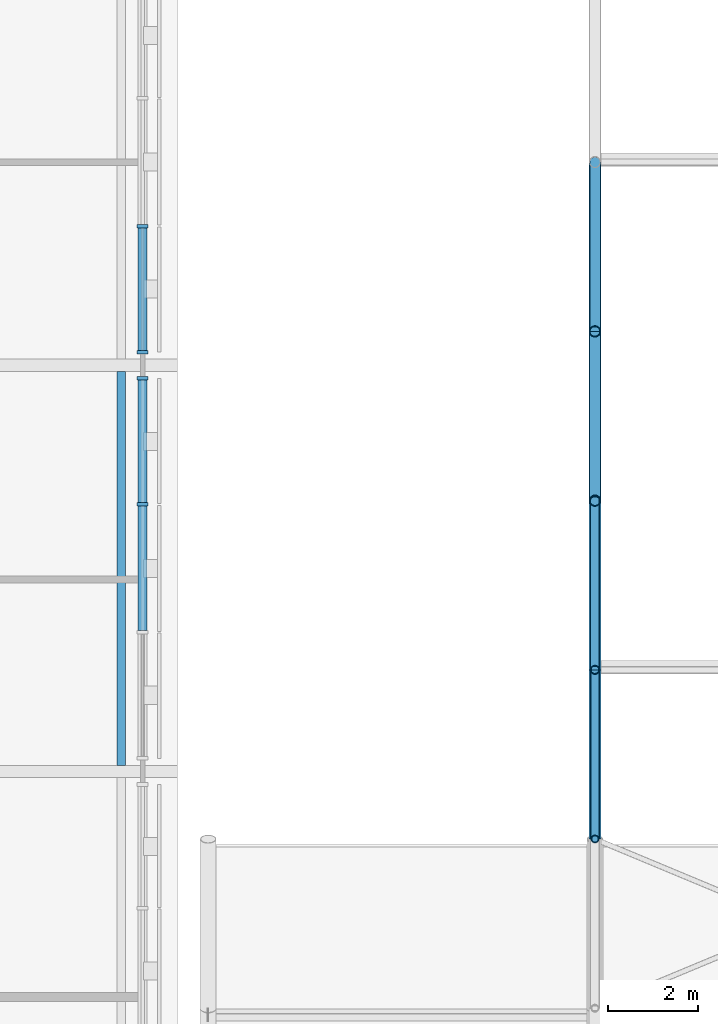
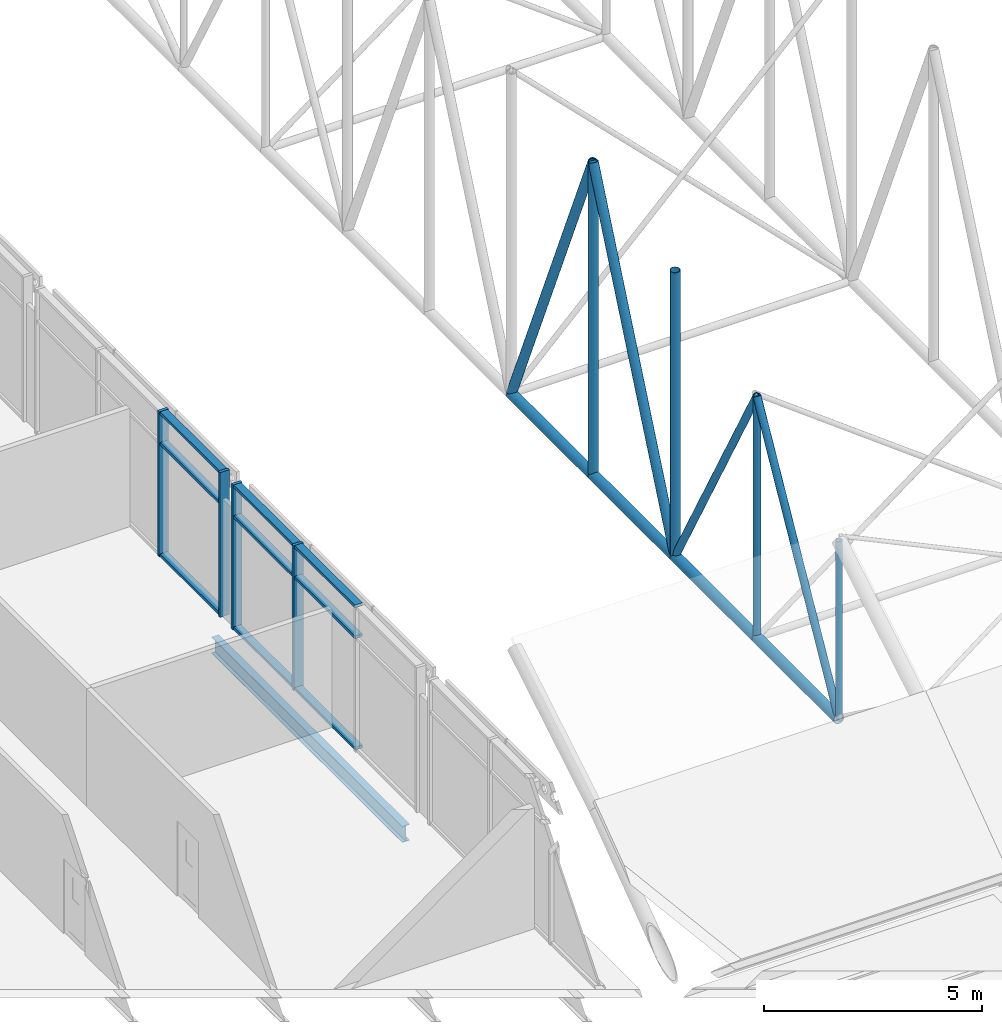
# One storey, part 26 of 153: 25 members, 1 beam, 2 elements without a shape of their own.
"""IFC4 building model written with IfcOpenShell, lengths in metres."""

from ifc_helpers import new_model, si_unit, direction, frame, origin, origin_2d, place, context, subcontext, project, spatial, rectangle, hollow_circle, i_section, extrude, material, material_profile, profile_set, type_object, element, aggregate, save


model = new_model("IFC4")

# Units and contexts
model_context = context("Model", 3, precision=1e-05, world=origin(), true_north=direction((0.0, 1.0)))
body_context = subcontext(model_context, "Body", "Model", "MODEL_VIEW")
ifc_project = project(units=[si_unit("LENGTHUNIT", "METRE"), si_unit("AREAUNIT", "SQUARE_METRE"), si_unit("VOLUMEUNIT", "CUBIC_METRE"), si_unit("PLANEANGLEUNIT", "RADIAN"), si_unit("MASSUNIT", "GRAM", prefix="KILO")], contexts=[model_context])

# Site, building, storey
site_placement = place(None, origin())
site = spatial("IfcSite", under=ifc_project, at=site_placement, CompositionType="ELEMENT")
building_placement = place(site_placement, origin())
building = spatial("IfcBuilding", under=site, at=building_placement, Name="Baradari Gate Terminus", CompositionType="ELEMENT")
storey_placement = place(building_placement, frame((0.0, 0.0, 11.699951171875)))
storey = spatial("IfcBuildingStorey", under=building, at=storey_placement, Name="L02", CompositionType="ELEMENT", Elevation=11.699951171875)

# Curtain wall, members
ifc_material_1 = material(Name="Aluminium 6063-T6", Category="aluminium")
curtain_wall_type = type_object("IfcCurtainWallType", Name="Curtain wall CW-3 gate face, office floors", PredefinedType="NOTDEFINED", material=ifc_material_1)
curtain_wall_1_placement = place(storey_placement, origin())
curtain_wall_1 = element("IfcCurtainWall", 1, at=curtain_wall_1_placement, inside=storey, type_object=curtain_wall_type, Name="Curtain wall CW-3 gate east face L02 bay 2", PredefinedType="NOTDEFINED")
ifc_material_2 = material(Name="Aluminium 6063-T6", Category="aluminium")
ifc_material_profile_1 = material_profile(ifc_material_2, rectangle(XDim=0.25, YDim=0.080078125, at=origin_2d()), Name="CM-3 80X250")
ifc_profile_set_1 = profile_set([ifc_material_profile_1], Name="Aluminium 6063-T6")
member_type_1 = type_object("IfcMemberType", Name="Curtain wall mullion CM-3 80x250", PredefinedType="MULLION", material=ifc_profile_set_1)
member_1_placement = place(storey_placement, frame((88.97509765625, 50.916748046875, 0.0), z_axis=(0.0, 0.0, 1.0), x_axis=(-1.0, 0.0, 0.0)))
member_1 = element("IfcMember", 2, at=member_1_placement, type_object=member_type_1, Name="CW-3 mullion 3", PredefinedType="MULLION", context=body_context, shape_type="SweptSolid", body=[
    extrude(rectangle(XDim=0.25, YDim=0.080078125, at=origin_2d()), origin(), (0.0, 0.0, 1.0), 4.050048828125),
])
member_2_placement = place(storey_placement, frame((88.97509765625, 53.7099609375, 0.0), z_axis=(0.0, 0.0, 1.0), x_axis=(-1.0, 0.0, 0.0)))
member_2 = element("IfcMember", 3, at=member_2_placement, type_object=member_type_1, Name="CW-3 mullion 4", PredefinedType="MULLION", context=body_context, shape_type="SweptSolid", body=[
    extrude(rectangle(XDim=0.25, YDim=0.080078125, at=origin_2d()), origin(), (0.0, 0.0, 1.0), 4.050048828125),
])

curtain_wall_2_placement = place(storey_placement, origin())
curtain_wall_2 = element("IfcCurtainWall", 4, at=curtain_wall_2_placement, inside=storey, type_object=curtain_wall_type, Name="Curtain wall CW-3 gate east face L02 bay 3", PredefinedType="NOTDEFINED")
member_3_placement = place(storey_placement, frame((88.97509765625, 54.2900390625, 0.0), z_axis=(0.0, 0.0, 1.0), x_axis=(-1.0, 0.0, 0.0)))
member_3 = element("IfcMember", 5, at=member_3_placement, type_object=member_type_1, Name="CW-3 mullion 1", PredefinedType="MULLION", context=body_context, shape_type="SweptSolid", body=[
    extrude(rectangle(XDim=0.25, YDim=0.080078125, at=origin_2d()), origin(), (0.0, 0.0, 1.0), 4.050048828125),
])
member_4_placement = place(storey_placement, frame((88.97509765625, 57.083251953125, 0.0), z_axis=(0.0, 0.0, 1.0), x_axis=(-1.0, 0.0, 0.0)))
member_4 = element("IfcMember", 6, at=member_4_placement, type_object=member_type_1, Name="CW-3 mullion 2", PredefinedType="MULLION", context=body_context, shape_type="SweptSolid", body=[
    extrude(rectangle(XDim=0.25, YDim=0.080078125, at=origin_2d()), origin(), (0.0, 0.0, 1.0), 4.050048828125),
])

# Member
ifc_material_3 = material(Name="Aluminium 6063-T6", Category="aluminium")
ifc_material_profile_2 = material_profile(ifc_material_3, rectangle(XDim=0.199951171875, YDim=0.080078125, at=origin_2d()), Name="CT-3 80X200")
ifc_profile_set_2 = profile_set([ifc_material_profile_2], Name="Aluminium 6063-T6")
member_type_2 = type_object("IfcMemberType", Name="Curtain wall transom CT-3 80x200", PredefinedType="USERDEFINED", material=ifc_profile_set_2)
member_5_placement = place(storey_placement, frame((88.97509765625, 48.123291015625, 0.0400390625), z_axis=(0.0, 1.0, 0.0), x_axis=(-1.0, 0.0, 0.0)))
member_5 = element("IfcMember", 7, at=member_5_placement, type_object=member_type_2, Name="CW-3 transom 2.1", ObjectType="TRANSOM", PredefinedType="USERDEFINED", context=body_context, shape_type="SweptSolid", body=[
    extrude(rectangle(XDim=0.199951171875, YDim=0.080078125, at=origin_2d()), origin(), (0.0, 0.0, 1.0), 2.75341796875),
])

member_6_placement = place(storey_placement, frame((88.97509765625, 48.123291015625, 3.150146484375), z_axis=(0.0, 1.0, 0.0), x_axis=(-1.0, 0.0, 0.0)))
member_6 = element("IfcMember", 8, at=member_6_placement, type_object=member_type_2, Name="CW-3 transom 2.2", ObjectType="TRANSOM", PredefinedType="USERDEFINED", context=body_context, shape_type="SweptSolid", body=[
    extrude(rectangle(XDim=0.199951171875, YDim=0.080078125, at=origin_2d()), origin(), (0.0, 0.0, 1.0), 2.75341796875),
])

member_7_placement = place(storey_placement, frame((88.97509765625, 48.123291015625, 4.010009765625), z_axis=(0.0, 1.0, 0.0), x_axis=(-1.0, 0.0, 0.0)))
member_7 = element("IfcMember", 9, at=member_7_placement, type_object=member_type_2, Name="CW-3 transom 2.3", ObjectType="TRANSOM", PredefinedType="USERDEFINED", context=body_context, shape_type="SweptSolid", body=[
    extrude(rectangle(XDim=0.199951171875, YDim=0.080078125, at=origin_2d()), origin(), (0.0, 0.0, 1.0), 2.75341796875),
])

member_8_placement = place(storey_placement, frame((88.97509765625, 50.956787109375, 0.0400390625), z_axis=(0.0, 1.0, 0.0), x_axis=(-1.0, 0.0, 0.0)))
member_8 = element("IfcMember", 10, at=member_8_placement, type_object=member_type_2, Name="CW-3 transom 3.1", ObjectType="TRANSOM", PredefinedType="USERDEFINED", context=body_context, shape_type="SweptSolid", body=[
    extrude(rectangle(XDim=0.199951171875, YDim=0.080078125, at=origin_2d()), origin(), (0.0, 0.0, 1.0), 2.713134765625),
])

member_9_placement = place(storey_placement, frame((88.97509765625, 50.956787109375, 3.150146484375), z_axis=(0.0, 1.0, 0.0), x_axis=(-1.0, 0.0, 0.0)))
member_9 = element("IfcMember", 11, at=member_9_placement, type_object=member_type_2, Name="CW-3 transom 3.2", ObjectType="TRANSOM", PredefinedType="USERDEFINED", context=body_context, shape_type="SweptSolid", body=[
    extrude(rectangle(XDim=0.199951171875, YDim=0.080078125, at=origin_2d()), origin(), (0.0, 0.0, 1.0), 2.713134765625),
])

member_10_placement = place(storey_placement, frame((88.97509765625, 50.956787109375, 4.010009765625), z_axis=(0.0, 1.0, 0.0), x_axis=(-1.0, 0.0, 0.0)))
member_10 = element("IfcMember", 12, at=member_10_placement, type_object=member_type_2, Name="CW-3 transom 3.3", ObjectType="TRANSOM", PredefinedType="USERDEFINED", context=body_context, shape_type="SweptSolid", body=[
    extrude(rectangle(XDim=0.199951171875, YDim=0.080078125, at=origin_2d()), origin(), (0.0, 0.0, 1.0), 2.713134765625),
])

aggregate(curtain_wall_1, [member_1, member_2, member_5, member_6, member_7, member_8, member_9, member_10])

member_11_placement = place(storey_placement, frame((88.97509765625, 54.330078125, 0.0400390625), z_axis=(0.0, 1.0, 0.0), x_axis=(-1.0, 0.0, 0.0)))
member_11 = element("IfcMember", 13, at=member_11_placement, type_object=member_type_2, Name="CW-3 transom 1.1", ObjectType="TRANSOM", PredefinedType="USERDEFINED", context=body_context, shape_type="SweptSolid", body=[
    extrude(rectangle(XDim=0.199951171875, YDim=0.080078125, at=origin_2d()), origin(), (0.0, 0.0, 1.0), 2.713134765625),
])

member_12_placement = place(storey_placement, frame((88.97509765625, 54.330078125, 3.150146484375), z_axis=(0.0, 1.0, 0.0), x_axis=(-1.0, 0.0, 0.0)))
member_12 = element("IfcMember", 14, at=member_12_placement, type_object=member_type_2, Name="CW-3 transom 1.2", ObjectType="TRANSOM", PredefinedType="USERDEFINED", context=body_context, shape_type="SweptSolid", body=[
    extrude(rectangle(XDim=0.199951171875, YDim=0.080078125, at=origin_2d()), origin(), (0.0, 0.0, 1.0), 2.713134765625),
])

member_13_placement = place(storey_placement, frame((88.97509765625, 54.330078125, 4.010009765625), z_axis=(0.0, 1.0, 0.0), x_axis=(-1.0, 0.0, 0.0)))
member_13 = element("IfcMember", 15, at=member_13_placement, type_object=member_type_2, Name="CW-3 transom 1.3", ObjectType="TRANSOM", PredefinedType="USERDEFINED", context=body_context, shape_type="SweptSolid", body=[
    extrude(rectangle(XDim=0.199951171875, YDim=0.080078125, at=origin_2d()), origin(), (0.0, 0.0, 1.0), 2.713134765625),
])

aggregate(curtain_wall_2, [member_3, member_4, member_11, member_12, member_13])

# Beam
ifc_material_4 = material(Name="Steel S355", Category="steel")
ifc_material_profile_3 = material_profile(ifc_material_4, i_section(OverallWidth=0.19140625, OverallDepth=0.4599609375, WebThickness=0.010009765625, FlangeThickness=0.01611328125, FilletRadius=0.01025390625, at=origin_2d()), Name="UB 457x191x82")
ifc_profile_set_3 = profile_set([ifc_material_profile_3], Name="Steel S355")
beam_type = type_object("IfcBeamType", Name="Gate secondary beam B31 UB 457x191x82", PredefinedType="BEAM", material=ifc_profile_set_3)
beam_placement = place(storey_placement, frame((88.5, 45.13330078125, -0.3798828125), z_axis=(0.0, 1.0, 0.0), x_axis=(-1.0, 0.0, 0.0)))
element("IfcBeam", 16, at=beam_placement, inside=storey, type_object=beam_type, Name="Gate secondary beam B31 88.5:45.133-53.867 L02", PredefinedType="BEAM", context=body_context, shape_type="SweptSolid", body=[
    extrude(i_section(OverallWidth=0.19140625, OverallDepth=0.4599609375, WebThickness=0.010009765625, FlangeThickness=0.01611328125, FilletRadius=0.01025390625, at=origin_2d()), origin(), (0.0, 0.0, 1.0), 8.7333984375),
])

# Members
ifc_material_5 = material(Name="Steel S355", Category="steel")
ifc_material_profile_4 = material_profile(ifc_material_5, hollow_circle(Radius=0.136474609375, WallThickness=0.012451171875, at=origin_2d()), Name="CHS 273x12.5")
ifc_profile_set_4 = profile_set([ifc_material_profile_4], Name="Steel S355")
member_type_3 = type_object("IfcMemberType", Name="Shed bottom chord CHS 273x12.5", PredefinedType="CHORD", material=ifc_profile_set_4)
for number, where, z_axis, x_axis, name in (
    (17, (99.0, 43.5, 0.136474609375), (0.0, 1.0, 0.0), (-1.0, 0.0, 0.0), "TR/L02/S99-BC02"),
    (18, (99.0, 47.25, 0.136474609375), (0.0, 1.0, 0.0), (-1.0, 0.0, 0.0), "TR/L02/S99-BC03"),
    (19, (99.0, 51.0, 0.136474609375), (0.0, 1.0, 0.0), (-1.0, 0.0, 0.0), "TR/L02/S99-BC04"),
    (20, (99.0, 54.75, 0.136474609375), (0.0, 1.0, 0.0), (-1.0, 0.0, 0.0), "TR/L02/S99-BC05"),
):
    element("IfcMember", number, at=place(storey_placement, frame(where, z_axis=z_axis, x_axis=x_axis)), inside=storey, type_object=member_type_3, Name=name, PredefinedType="CHORD", context=body_context, shape_type="SweptSolid", body=[
        extrude(hollow_circle(Radius=0.136474609375, WallThickness=0.012451171875, at=origin_2d()), origin(), (0.0, 0.0, 1.0), 3.75),
    ])
ifc_material_6 = material(Name="Steel S355", Category="steel")
ifc_material_profile_5 = material_profile(ifc_material_6, hollow_circle(Radius=0.096923828125, WallThickness=0.008056640625, at=origin_2d()), Name="CHS 193.7x8")
ifc_profile_set_5 = profile_set([ifc_material_profile_5], Name="Steel S355")
member_type_4 = type_object("IfcMemberType", Name="Shed truss diagonal CHS 193.7x8", PredefinedType="BRACE", material=ifc_profile_set_5)
for number, where, z_axis, x_axis, name in (
    (21, (99.0, 47.25, 6.886474609375), (0.0, -0.485642931179, -0.874157276122), (1.0, 0.0, 0.0), "TR/L02/S99-SD02"),
    (22, (99.0, 47.25, 6.886474609375), (0.0, 0.485642931179, -0.874157276122), (-1.0, 0.0, 0.0), "TR/L02/S99-SD03"),
):
    element("IfcMember", number, at=place(storey_placement, frame(where, z_axis=z_axis, x_axis=x_axis)), inside=storey, type_object=member_type_4, Name=name, PredefinedType="BRACE", context=body_context, shape_type="SweptSolid", body=[
        extrude(hollow_circle(Radius=0.096923828125, WallThickness=0.008056640625, at=origin_2d()), origin(), (0.0, 0.0, 1.0), 7.7216796875),
    ])
ifc_material_7 = material(Name="Steel S355", Category="steel")
ifc_material_profile_6 = material_profile(ifc_material_7, hollow_circle(Radius=0.122314453125, WallThickness=0.010009765625, at=origin_2d()), Name="CHS 244.5x10")
ifc_profile_set_6 = profile_set([ifc_material_profile_6], Name="Steel S355")
member_type_5 = type_object("IfcMemberType", Name="Shed truss diagonal CHS 244.5x10", PredefinedType="BRACE", material=ifc_profile_set_6)
for number, where, z_axis, x_axis, name in (
    (23, (99.0, 54.75, 8.886474609375), (0.0, -0.393919298579, -0.919145030018), (1.0, 0.0, 0.0), "TR/L02/S99-SD04"),
    (24, (99.0, 54.75, 8.886474609375), (0.0, 0.393919298579, -0.919145030018), (-1.0, 0.0, 0.0), "TR/L02/S99-SD05"),
):
    element("IfcMember", number, at=place(storey_placement, frame(where, z_axis=z_axis, x_axis=x_axis)), inside=storey, type_object=member_type_5, Name=name, PredefinedType="BRACE", context=body_context, shape_type="SweptSolid", body=[
        extrude(hollow_circle(Radius=0.122314453125, WallThickness=0.010009765625, at=origin_2d()), origin(), (0.0, 0.0, 1.0), 9.519775390625),
    ])
ifc_material_8 = material(Name="Steel S355", Category="steel")
ifc_material_profile_7 = material_profile(ifc_material_8, hollow_circle(Radius=0.084228515625, WallThickness=0.008056640625, at=origin_2d()), Name="CHS 168.3x8")
ifc_profile_set_7 = profile_set([ifc_material_profile_7], Name="Steel S355")
member_type_6 = type_object("IfcMemberType", Name="Shed truss post CHS 168.3x8", PredefinedType="POST", material=ifc_profile_set_7)
member_14_placement = place(storey_placement, frame((99.0, 43.5, 0.136474609375), z_axis=(0.0, 0.0, 1.0), x_axis=(1.0, 0.0, 0.0)))
element("IfcMember", 25, at=member_14_placement, inside=storey, type_object=member_type_6, Name="TR/L02/S99-SP02", PredefinedType="POST", context=body_context, shape_type="SweptSolid", body=[
    extrude(hollow_circle(Radius=0.084228515625, WallThickness=0.008056640625, at=origin_2d()), origin(), (0.0, 0.0, 1.0), 5.0),
])
ifc_material_9 = material(Name="Steel S355", Category="steel")
ifc_material_profile_8 = material_profile(ifc_material_9, hollow_circle(Radius=0.096923828125, WallThickness=0.008056640625, at=origin_2d()), Name="CHS 193.7x8")
ifc_profile_set_8 = profile_set([ifc_material_profile_8], Name="Steel S355")
member_type_7 = type_object("IfcMemberType", Name="Shed truss post CHS 193.7x8", PredefinedType="POST", material=ifc_profile_set_8)
member_15_placement = place(storey_placement, frame((99.0, 47.25, 0.136474609375), z_axis=(0.0, 0.0, 1.0), x_axis=(1.0, 0.0, 0.0)))
element("IfcMember", 26, at=member_15_placement, inside=storey, type_object=member_type_7, Name="TR/L02/S99-SP03", PredefinedType="POST", context=body_context, shape_type="SweptSolid", body=[
    extrude(hollow_circle(Radius=0.096923828125, WallThickness=0.008056640625, at=origin_2d()), origin(), (0.0, 0.0, 1.0), 6.75),
])
ifc_material_10 = material(Name="Steel S355", Category="steel")
ifc_material_profile_9 = material_profile(ifc_material_10, hollow_circle(Radius=0.122314453125, WallThickness=0.010009765625, at=origin_2d()), Name="CHS 244.5x10")
ifc_profile_set_9 = profile_set([ifc_material_profile_9], Name="Steel S355")
member_type_8 = type_object("IfcMemberType", Name="Shed truss post CHS 244.5x10", PredefinedType="POST", material=ifc_profile_set_9)
member_16_placement = place(storey_placement, frame((99.0, 51.0, 0.136474609375), z_axis=(0.0, 0.0, 1.0), x_axis=(1.0, 0.0, 0.0)))
element("IfcMember", 27, at=member_16_placement, inside=storey, type_object=member_type_8, Name="TR/L02/S99-SP04", PredefinedType="POST", context=body_context, shape_type="SweptSolid", body=[
    extrude(hollow_circle(Radius=0.122314453125, WallThickness=0.010009765625, at=origin_2d()), origin(), (0.0, 0.0, 1.0), 8.0),
])
member_17_placement = place(storey_placement, frame((99.0, 54.75, 0.136474609375), z_axis=(0.0, 0.0, 1.0), x_axis=(1.0, 0.0, 0.0)))
element("IfcMember", 28, at=member_17_placement, inside=storey, type_object=member_type_8, Name="TR/L02/S99-SP05", PredefinedType="POST", context=body_context, shape_type="SweptSolid", body=[
    extrude(hollow_circle(Radius=0.122314453125, WallThickness=0.010009765625, at=origin_2d()), origin(), (0.0, 0.0, 1.0), 8.75),
])

save(model, "model.ifc")
